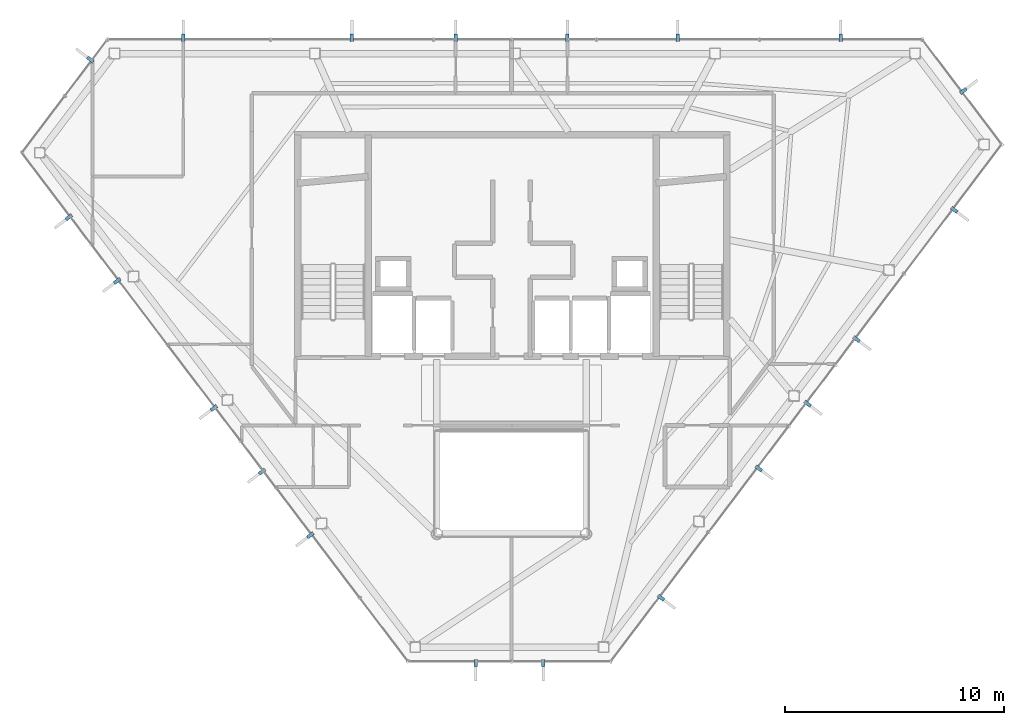
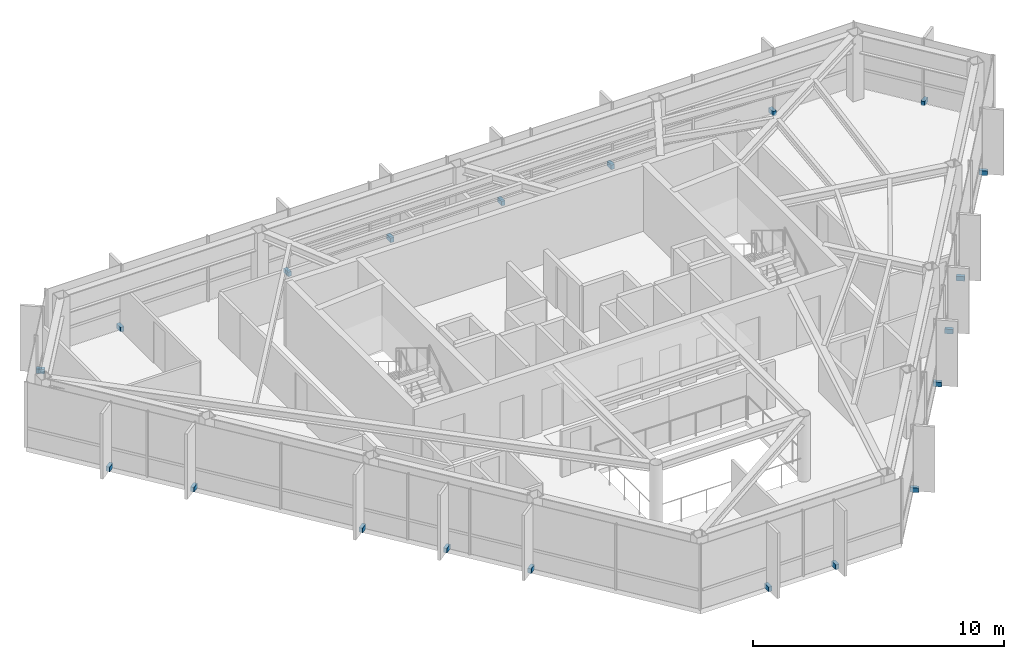
# One storey, part 23 of 24: 20 discrete accessories.
"""IFC4 building model written with IfcOpenShell, lengths in metres."""

from ifc_helpers import new_model, si_unit, direction, frame, origin, origin_2d, place, context, subcontext, project, spatial, rectangle, extrude, material, type_object, element, save


model = new_model("IFC4")

# Units and contexts
model_context = context("Model", 3, precision=1e-05, world=origin(), true_north=direction((0.0, 1.0)))
body_context = subcontext(model_context, "Body", "Model", "MODEL_VIEW")
ifc_project = project(units=[si_unit("LENGTHUNIT", "METRE"), si_unit("AREAUNIT", "SQUARE_METRE"), si_unit("VOLUMEUNIT", "CUBIC_METRE"), si_unit("PLANEANGLEUNIT", "RADIAN"), si_unit("MASSUNIT", "GRAM", prefix="KILO")], contexts=[model_context])

# Site, building, storey
site_placement = place(None, origin())
site = spatial("IfcSite", under=ifc_project, at=site_placement, CompositionType="ELEMENT")
building_placement = place(site_placement, origin())
building = spatial("IfcBuilding", under=site, at=building_placement, Name="Zarrinselat Tower", CompositionType="ELEMENT")
storey_placement = place(building_placement, frame((0.0, 0.0, 268.60009765625)))
storey = spatial("IfcBuildingStorey", under=building, at=storey_placement, Name="L68", CompositionType="ELEMENT", Elevation=268.60009765625)

# Discrete accessories
ifc_material = material(Name="Steel S355J2", Category="steel")
discrete_accessory_type = type_object("IfcDiscreteAccessoryType", Name="ACC-FIN-BRACKET", PredefinedType="BRACKET", material=ifc_material)
for number, where, z_axis, x_axis, name in (
    (1, (53.412109375, 47.820068359375, -0.05029296875), (0.0, 0.0, 1.0), (0.0, 1.0, 0.0), "L68 Fin Fixing Bracket CW-L68-E01-01"),
    (2, (45.9833984375, 47.820068359375, -0.05029296875), (0.0, 0.0, 1.0), (0.0, 1.0, 0.0), "L68 Fin Fixing Bracket CW-L68-E01-03"),
    (3, (40.949951171875, 47.820068359375, -0.05029296875), (0.0, 0.0, 1.0), (0.0, 1.0, 0.0), "L68 Fin Fixing Bracket CW-L68-E01-05"),
    (4, (35.85009765625, 47.820068359375, -0.05029296875), (0.0, 0.0, 1.0), (0.0, 1.0, 0.0), "L68 Fin Fixing Bracket CW-L68-E01-07"),
    (5, (31.12646484375, 47.820068359375, -0.05029296875), (0.0, 0.0, 1.0), (0.0, 1.0, 0.0), "L68 Fin Fixing Bracket CW-L68-E01-09"),
    (6, (23.439208984375, 47.820068359375, -0.05029296875), (0.0, 0.0, 1.0), (0.0, 1.0, 0.0), "L68 Fin Fixing Bracket CW-L68-E01-11"),
    (7, (19.19873046875, 46.827880859375, -0.05029296875), (0.0, 0.0, 1.0), (-0.797604826305, 0.603180355329, 0.0), "L68 Fin Fixing Bracket CW-L68-E02-01"),
    (8, (18.22119140625, 39.639892578125, -0.05029296875), (0.0, 0.0, 1.0), (-0.796386839721, -0.604787567266, 0.0), "L68 Fin Fixing Bracket CW-L68-E03-01"),
    (9, (20.422607421875, 36.74072265625, -0.05029296875), (0.0, 0.0, 1.0), (-0.796386839721, -0.604787567266, 0.0), "L68 Fin Fixing Bracket CW-L68-E03-03"),
    (10, (24.826171875, 30.9423828125, -0.05029296875), (0.0, 0.0, 1.0), (-0.796386839721, -0.604787567266, 0.0), "L68 Fin Fixing Bracket CW-L68-E03-05"),
    (11, (27.02783203125, 28.043212890625, -0.05029296875), (0.0, 0.0, 1.0), (-0.796386839721, -0.604787567266, 0.0), "L68 Fin Fixing Bracket CW-L68-E03-07"),
    (12, (29.2294921875, 25.14404296875, -0.05029296875), (0.0, 0.0, 1.0), (-0.796386839721, -0.604787567266, 0.0), "L68 Fin Fixing Bracket CW-L68-E03-09"),
    (13, (36.76806640625, 19.318115234375, -0.05029296875), (0.0, 0.0, 1.0), (0.0, -1.0, 0.0), "L68 Fin Fixing Bracket CW-L68-E04-01"),
    (14, (39.84765625, 19.318115234375, -0.05029296875), (0.0, 0.0, 1.0), (0.0, -1.0, 0.0), "L68 Fin Fixing Bracket CW-L68-E04-03"),
    (15, (45.2119140625, 22.293212890625, -0.05029296875), (0.0, 0.0, 1.0), (0.797612970041, -0.603169586453, 0.0), "L68 Fin Fixing Bracket CW-L68-E05-01"),
    (16, (49.669677734375, 28.18798828125, -0.05029296875), (0.0, 0.0, 1.0), (0.797612970041, -0.603169586453, 0.0), "L68 Fin Fixing Bracket CW-L68-E05-03"),
    (17, (51.8984375, 31.135498046875, -0.05029296875), (0.0, 0.0, 1.0), (0.797612970041, -0.603169586453, 0.0), "L68 Fin Fixing Bracket CW-L68-E05-05"),
    (18, (54.127197265625, 34.0830078125, -0.05029296875), (0.0, 0.0, 1.0), (0.797612970041, -0.603169586453, 0.0), "L68 Fin Fixing Bracket CW-L68-E05-07"),
    (19, (58.585205078125, 39.977783203125, -0.05029296875), (0.0, 0.0, 1.0), (0.797612970041, -0.603169586453, 0.0), "L68 Fin Fixing Bracket CW-L68-E05-09"),
    (20, (58.997802734375, 45.40087890625, -0.05029296875), (0.0, 0.0, 1.0), (0.796390917907, 0.604782197055, 0.0), "L68 Fin Fixing Bracket CW-L68-E06-01"),
):
    element("IfcDiscreteAccessory", number, at=place(storey_placement, frame(where, z_axis=z_axis, x_axis=x_axis)), inside=storey, type_object=discrete_accessory_type, Name=name, PredefinedType="BRACKET", context=body_context, shape_type="SweptSolid", body=[
        extrude(rectangle(XDim=0.340087890625, YDim=0.159912109375, at=origin_2d()), origin(), (0.0, 0.0, 1.0), 0.219970703125),
    ])

save(model, "model.ifc")
